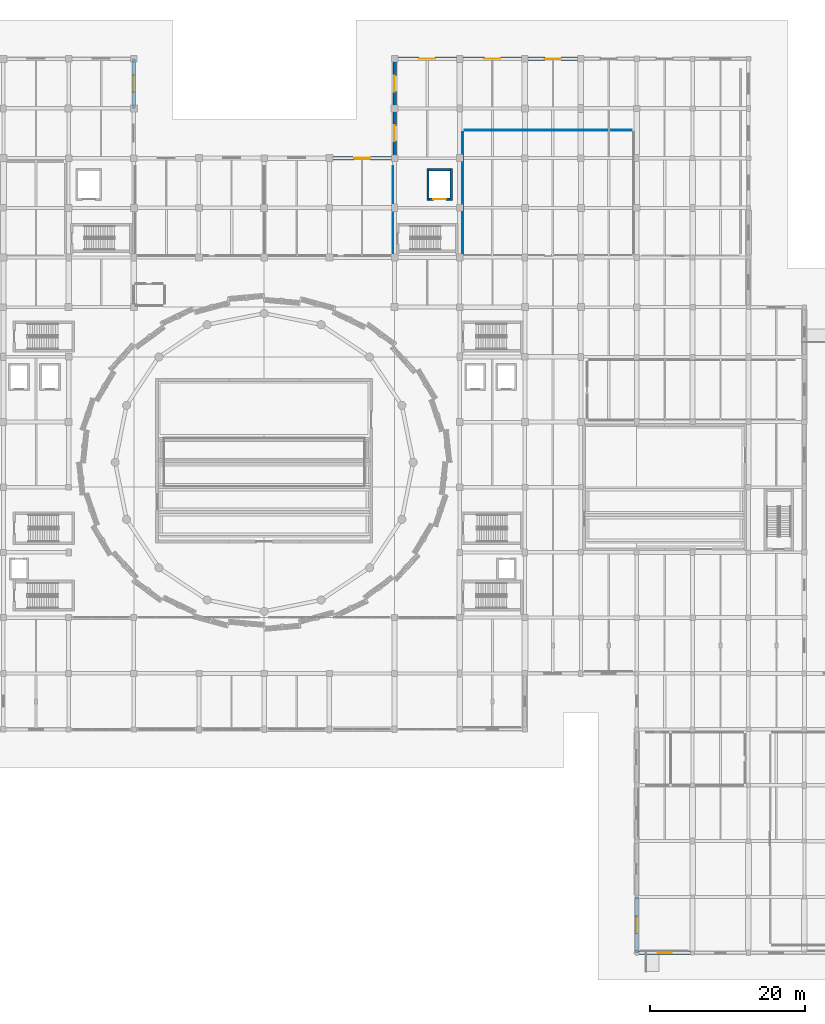
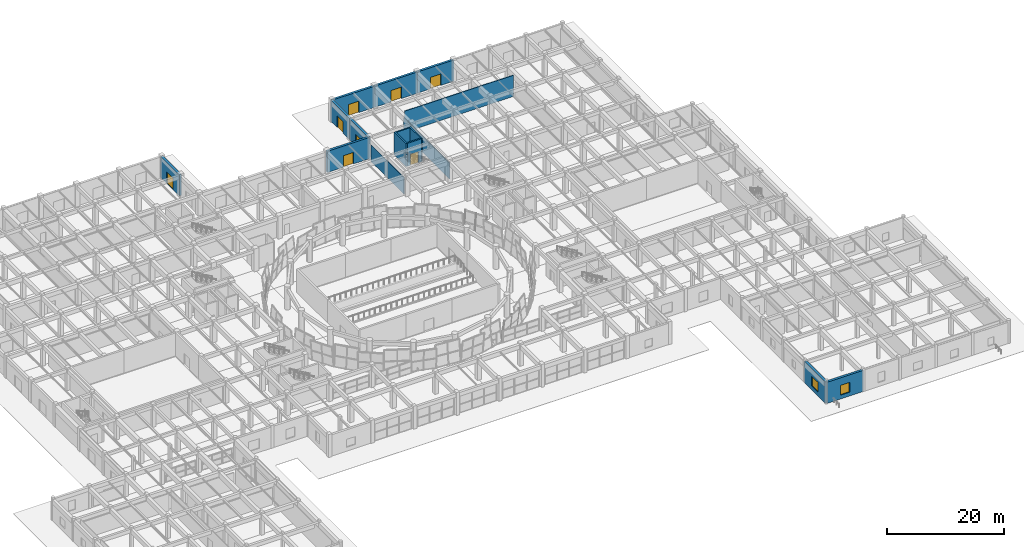
# One storey, part 51 of 72: 16 walls, 8 doors, 2 windows, 10 openings.
"""IFC4 building model written with IfcOpenShell, lengths in metres."""

from ifc_helpers import new_model, si_unit, direction, frame, frame_2d, origin, place, context, subcontext, project, spatial, rectangle, extrude, material, layer, layer_set, type_object, element, fill, save


model = new_model("IFC4")

# Units and contexts
model_context = context("Model", 3, precision=1e-05, world=origin(), true_north=direction((0.0, 1.0)))
body_context = subcontext(model_context, "Body", "Model", "MODEL_VIEW")
ifc_project = project(units=[si_unit("LENGTHUNIT", "METRE"), si_unit("AREAUNIT", "SQUARE_METRE"), si_unit("VOLUMEUNIT", "CUBIC_METRE"), si_unit("PLANEANGLEUNIT", "RADIAN"), si_unit("MASSUNIT", "GRAM", prefix="KILO")], contexts=[model_context])

# Site, building, storey
site_placement = place(None, origin())
site = spatial("IfcSite", under=ifc_project, at=site_placement, CompositionType="ELEMENT")
building_placement = place(site_placement, origin())
building = spatial("IfcBuilding", under=site, at=building_placement, Name="Korsvaeld Concert Hall", CompositionType="ELEMENT")
storey_placement = place(building_placement, origin())
storey = spatial("IfcBuildingStorey", under=building, at=storey_placement, Name="L00", CompositionType="ELEMENT", Elevation=0.0)

# Wall, opening, door
ifc_material_1 = material(Name="Coastal dark grey granite plinth on Concrete C35/45", Category="masonry")
ifc_layer_1 = layer(ifc_material_1, 0.43994140625)
ifc_layer_set_1 = layer_set([ifc_layer_1], Name="Coastal dark grey granite plinth on Concrete C35/45")
wall_type_1 = type_object("IfcWallType", Name="WL-EXT-GRAN-440", PredefinedType="STANDARD", material=ifc_layer_set_1)
wall_1_placement = place(storey_placement, frame((67.199951171875, 115.199951171875, 0.0), z_axis=(0.0, 0.0, 1.0), x_axis=(0.0, -1.0, 0.0)))
wall_1 = element("IfcWall", 1, at=wall_1_placement, inside=storey, type_object=wall_type_1, Name="Exterior sandstone wall L00-071", PredefinedType="STANDARD", context=body_context, shape_type="SweptSolid", body=[
    extrude(rectangle(XDim=6.39990234375, YDim=0.43994140625, at=frame_2d((3.199951171875, 0.0))), origin(), (0.0, 0.0, 1.0), 4.43994140625),
])
opening_1_placement = place(wall_1_placement, frame((2.10009765625, 0.0, 0.0)))
opening_1 = element("IfcOpeningElement", 2, at=opening_1_placement, cuts=wall_1, Name="Opening ED-02", PredefinedType="OPENING", context=body_context, shape_type="SweptSolid", body=[
    extrude(rectangle(XDim=2.199951171875, YDim=2.449951171875, at=frame_2d((1.10009765625, 1.22509765625))), frame((0.0, 0.22998046875, 0.0), z_axis=(0.0, -1.0, 0.0), x_axis=(1.0, 0.0, 0.0)), (0.0, 0.0, 1.0), 0.4599609375),
])
ifc_material_2 = material(Name="Anodised bronze glazed exit door")
door_type_1 = type_object("IfcDoorType", Name="DR-EXT-220x245", OperationType="DOUBLE_DOOR_SINGLE_SWING", PredefinedType="DOOR", material=ifc_material_2)
door_1_placement = place(opening_1_placement, frame((2.199951171875, 0.0, 0.0), z_axis=(0.0, 0.0, 1.0), x_axis=(-1.0, 0.0, 0.0)))
door_1 = element("IfcDoor", 3, at=door_1_placement, inside=storey, type_object=door_type_1, Name="Ground plaza pedestrian exit door EX-16", OperationType="DOUBLE_DOOR_SINGLE_SWING", OverallHeight=2.449951171875, OverallWidth=2.199951171875, PredefinedType="DOOR", context=body_context, shape_type="SweptSolid", body=[
    extrude(rectangle(XDim=2.199951171875, YDim=2.449951171875, at=frame_2d((1.10009765625, 1.22509765625))), frame((0.0, 0.02490234375, 0.0), z_axis=(0.0, -1.0, 0.0), x_axis=(1.0, 0.0, 0.0)), (0.0, 0.0, 1.0), 0.050048828125),
])
fill(opening_1, door_1)

wall_2_placement = place(storey_placement, frame((92.39990234375, 102.39990234375, 0.0), z_axis=(0.0, 0.0, 1.0), x_axis=(1.0, 0.0, 0.0)))
wall_2 = element("IfcWall", 4, at=wall_2_placement, inside=storey, type_object=wall_type_1, Name="Exterior sandstone wall L00-076", PredefinedType="STANDARD", context=body_context, shape_type="SweptSolid", body=[
    extrude(rectangle(XDim=8.400146484375, YDim=0.43994140625, at=frame_2d((4.2001953125, 0.0))), origin(), (0.0, 0.0, 1.0), 4.43994140625),
])
opening_2_placement = place(wall_2_placement, frame((3.179931640625, 0.0, 0.0)))
opening_2 = element("IfcOpeningElement", 5, at=opening_2_placement, cuts=wall_2, Name="Opening ED-03", PredefinedType="OPENING", context=body_context, shape_type="SweptSolid", body=[
    extrude(rectangle(XDim=2.0400390625, YDim=2.39990234375, at=frame_2d((1.02001953125, 1.199951171875))), frame((0.0, 0.22998046875, 0.0), z_axis=(0.0, -1.0, 0.0), x_axis=(1.0, 0.0, 0.0)), (0.0, 0.0, 1.0), 0.4599609375),
])
door_type_2 = type_object("IfcDoorType", Name="DR-EXT-204x240", OperationType="DOUBLE_DOOR_SINGLE_SWING", PredefinedType="DOOR", material=ifc_material_2)
door_2_placement = place(opening_2_placement, frame((2.0400390625, 0.0, 0.0), z_axis=(0.0, 0.0, 1.0), x_axis=(-1.0, 0.0, 0.0)))
door_2 = element("IfcDoor", 6, at=door_2_placement, inside=storey, type_object=door_type_2, Name="Ground plaza pedestrian exit door EX-21", OperationType="DOUBLE_DOOR_SINGLE_SWING", OverallHeight=2.39990234375, OverallWidth=2.0400390625, PredefinedType="DOOR", context=body_context, shape_type="SweptSolid", body=[
    extrude(rectangle(XDim=2.0400390625, YDim=2.39990234375, at=frame_2d((1.02001953125, 1.199951171875))), frame((0.0, 0.02490234375, 0.0), z_axis=(0.0, -1.0, 0.0), x_axis=(1.0, 0.0, 0.0)), (0.0, 0.0, 1.0), 0.050048828125),
])
fill(opening_2, door_2)

wall_3_placement = place(storey_placement, frame((100.800048828125, 102.39990234375, 0.0), z_axis=(0.0, 0.0, 1.0), x_axis=(0.0, 1.0, 0.0)))
wall_3 = element("IfcWall", 7, at=wall_3_placement, inside=storey, type_object=wall_type_1, Name="Exterior sandstone wall L00-077", PredefinedType="STANDARD", context=body_context, shape_type="SweptSolid", body=[
    extrude(rectangle(XDim=6.400146484375, YDim=0.43994140625, at=frame_2d((3.2001953125, 0.0))), origin(), (0.0, 0.0, 1.0), 4.43994140625),
])
opening_3_placement = place(wall_3_placement, frame((2.179931640625, 0.0, 0.0)))
opening_3 = element("IfcOpeningElement", 8, at=opening_3_placement, cuts=wall_3, Name="Opening ED-03", PredefinedType="OPENING", context=body_context, shape_type="SweptSolid", body=[
    extrude(rectangle(XDim=2.0400390625, YDim=2.39990234375, at=frame_2d((1.02001953125, 1.199951171875))), frame((0.0, 0.22998046875, 0.0), z_axis=(0.0, -1.0, 0.0), x_axis=(1.0, 0.0, 0.0)), (0.0, 0.0, 1.0), 0.4599609375),
])
door_3_placement = place(opening_3_placement, frame((2.0400390625, 0.0, 0.0), z_axis=(0.0, 0.0, 1.0), x_axis=(-1.0, 0.0, 0.0)))
door_3 = element("IfcDoor", 9, at=door_3_placement, inside=storey, type_object=door_type_2, Name="Ground plaza pedestrian exit door EX-22", OperationType="DOUBLE_DOOR_SINGLE_SWING", OverallHeight=2.39990234375, OverallWidth=2.0400390625, PredefinedType="DOOR", context=body_context, shape_type="SweptSolid", body=[
    extrude(rectangle(XDim=2.0400390625, YDim=2.39990234375, at=frame_2d((1.02001953125, 1.199951171875))), frame((0.0, 0.02490234375, 0.0), z_axis=(0.0, -1.0, 0.0), x_axis=(1.0, 0.0, 0.0)), (0.0, 0.0, 1.0), 0.050048828125),
])
fill(opening_3, door_3)

wall_4_placement = place(storey_placement, frame((100.800048828125, 108.800048828125, 0.0), z_axis=(0.0, 0.0, 1.0), x_axis=(0.0, 1.0, 0.0)))
wall_4 = element("IfcWall", 10, at=wall_4_placement, inside=storey, type_object=wall_type_1, Name="Exterior sandstone wall L00-078", PredefinedType="STANDARD", context=body_context, shape_type="SweptSolid", body=[
    extrude(rectangle(XDim=6.39990234375, YDim=0.43994140625, at=frame_2d((3.199951171875, 0.0))), origin(), (0.0, 0.0, 1.0), 4.43994140625),
])
opening_4_placement = place(wall_4_placement, frame((2.179931640625, 0.0, 0.0)))
opening_4 = element("IfcOpeningElement", 11, at=opening_4_placement, cuts=wall_4, Name="Opening ED-03", PredefinedType="OPENING", context=body_context, shape_type="SweptSolid", body=[
    extrude(rectangle(XDim=2.0400390625, YDim=2.39990234375, at=frame_2d((1.02001953125, 1.199951171875))), frame((0.0, 0.22998046875, 0.0), z_axis=(0.0, -1.0, 0.0), x_axis=(1.0, 0.0, 0.0)), (0.0, 0.0, 1.0), 0.4599609375),
])
door_4_placement = place(opening_4_placement, frame((2.0400390625, 0.0, 0.0), z_axis=(0.0, 0.0, 1.0), x_axis=(-1.0, 0.0, 0.0)))
door_4 = element("IfcDoor", 12, at=door_4_placement, inside=storey, type_object=door_type_2, Name="Ground plaza pedestrian exit door EX-23", OperationType="DOUBLE_DOOR_SINGLE_SWING", OverallHeight=2.39990234375, OverallWidth=2.0400390625, PredefinedType="DOOR", context=body_context, shape_type="SweptSolid", body=[
    extrude(rectangle(XDim=2.0400390625, YDim=2.39990234375, at=frame_2d((1.02001953125, 1.199951171875))), frame((0.0, 0.02490234375, 0.0), z_axis=(0.0, -1.0, 0.0), x_axis=(1.0, 0.0, 0.0)), (0.0, 0.0, 1.0), 0.050048828125),
])
fill(opening_4, door_4)

wall_5_placement = place(storey_placement, frame((100.800048828125, 115.199951171875, 0.0), z_axis=(0.0, 0.0, 1.0), x_axis=(1.0, 0.0, 0.0)))
wall_5 = element("IfcWall", 13, at=wall_5_placement, inside=storey, type_object=wall_type_1, Name="Exterior sandstone wall L00-079", PredefinedType="STANDARD", context=body_context, shape_type="SweptSolid", body=[
    extrude(rectangle(XDim=8.39990234375, YDim=0.43994140625, at=frame_2d((4.199951171875, 0.0))), origin(), (0.0, 0.0, 1.0), 4.43994140625),
])
opening_5_placement = place(wall_5_placement, frame((3.179931640625, 0.0, 0.0)))
opening_5 = element("IfcOpeningElement", 14, at=opening_5_placement, cuts=wall_5, Name="Opening ED-03", PredefinedType="OPENING", context=body_context, shape_type="SweptSolid", body=[
    extrude(rectangle(XDim=2.0400390625, YDim=2.39990234375, at=frame_2d((1.02001953125, 1.199951171875))), frame((0.0, 0.22998046875, 0.0), z_axis=(0.0, -1.0, 0.0), x_axis=(1.0, 0.0, 0.0)), (0.0, 0.0, 1.0), 0.4599609375),
])
door_5_placement = place(opening_5_placement, frame((2.0400390625, 0.0, 0.0), z_axis=(0.0, 0.0, 1.0), x_axis=(-1.0, 0.0, 0.0)))
door_5 = element("IfcDoor", 15, at=door_5_placement, inside=storey, type_object=door_type_2, Name="Ground plaza pedestrian exit door EX-24", OperationType="DOUBLE_DOOR_SINGLE_SWING", OverallHeight=2.39990234375, OverallWidth=2.0400390625, PredefinedType="DOOR", context=body_context, shape_type="SweptSolid", body=[
    extrude(rectangle(XDim=2.0400390625, YDim=2.39990234375, at=frame_2d((1.02001953125, 1.199951171875))), frame((0.0, 0.02490234375, 0.0), z_axis=(0.0, -1.0, 0.0), x_axis=(1.0, 0.0, 0.0)), (0.0, 0.0, 1.0), 0.050048828125),
])
fill(opening_5, door_5)

wall_6_placement = place(storey_placement, frame((109.199951171875, 115.199951171875, 0.0), z_axis=(0.0, 0.0, 1.0), x_axis=(1.0, 0.0, 0.0)))
wall_6 = element("IfcWall", 16, at=wall_6_placement, inside=storey, type_object=wall_type_1, Name="Exterior sandstone wall L00-080", PredefinedType="STANDARD", context=body_context, shape_type="SweptSolid", body=[
    extrude(rectangle(XDim=8.400146484375, YDim=0.43994140625, at=frame_2d((4.2001953125, 0.0))), origin(), (0.0, 0.0, 1.0), 4.43994140625),
])
opening_6_placement = place(wall_6_placement, frame((3.179931640625, 0.0, 0.0)))
opening_6 = element("IfcOpeningElement", 17, at=opening_6_placement, cuts=wall_6, Name="Opening ED-03", PredefinedType="OPENING", context=body_context, shape_type="SweptSolid", body=[
    extrude(rectangle(XDim=2.0400390625, YDim=2.39990234375, at=frame_2d((1.02001953125, 1.199951171875))), frame((0.0, 0.22998046875, 0.0), z_axis=(0.0, -1.0, 0.0), x_axis=(1.0, 0.0, 0.0)), (0.0, 0.0, 1.0), 0.4599609375),
])
door_6_placement = place(opening_6_placement, frame((2.0400390625, 0.0, 0.0), z_axis=(0.0, 0.0, 1.0), x_axis=(-1.0, 0.0, 0.0)))
door_6 = element("IfcDoor", 18, at=door_6_placement, inside=storey, type_object=door_type_2, Name="Ground plaza pedestrian exit door EX-25", OperationType="DOUBLE_DOOR_SINGLE_SWING", OverallHeight=2.39990234375, OverallWidth=2.0400390625, PredefinedType="DOOR", context=body_context, shape_type="SweptSolid", body=[
    extrude(rectangle(XDim=2.0400390625, YDim=2.39990234375, at=frame_2d((1.02001953125, 1.199951171875))), frame((0.0, 0.02490234375, 0.0), z_axis=(0.0, -1.0, 0.0), x_axis=(1.0, 0.0, 0.0)), (0.0, 0.0, 1.0), 0.050048828125),
])
fill(opening_6, door_6)

wall_7_placement = place(storey_placement, frame((117.60009765625, 115.199951171875, 0.0), z_axis=(0.0, 0.0, 1.0), x_axis=(1.0, 0.0, 0.0)))
wall_7 = element("IfcWall", 19, at=wall_7_placement, inside=storey, type_object=wall_type_1, Name="Exterior sandstone wall L00-081", PredefinedType="STANDARD", context=body_context, shape_type="SweptSolid", body=[
    extrude(rectangle(XDim=7.199951171875, YDim=0.43994140625, at=frame_2d((3.60009765625, 0.0))), origin(), (0.0, 0.0, 1.0), 4.43994140625),
])
opening_7_placement = place(wall_7_placement, frame((2.580078125, 0.0, 0.0)))
opening_7 = element("IfcOpeningElement", 20, at=opening_7_placement, cuts=wall_7, Name="Opening ED-03", PredefinedType="OPENING", context=body_context, shape_type="SweptSolid", body=[
    extrude(rectangle(XDim=2.0400390625, YDim=2.39990234375, at=frame_2d((1.02001953125, 1.199951171875))), frame((0.0, 0.22998046875, 0.0), z_axis=(0.0, -1.0, 0.0), x_axis=(1.0, 0.0, 0.0)), (0.0, 0.0, 1.0), 0.4599609375),
])
door_7_placement = place(opening_7_placement, frame((2.0400390625, 0.0, 0.0), z_axis=(0.0, 0.0, 1.0), x_axis=(-1.0, 0.0, 0.0)))
door_7 = element("IfcDoor", 21, at=door_7_placement, inside=storey, type_object=door_type_2, Name="Ground plaza pedestrian exit door EX-26", OperationType="DOUBLE_DOOR_SINGLE_SWING", OverallHeight=2.39990234375, OverallWidth=2.0400390625, PredefinedType="DOOR", context=body_context, shape_type="SweptSolid", body=[
    extrude(rectangle(XDim=2.0400390625, YDim=2.39990234375, at=frame_2d((1.02001953125, 1.199951171875))), frame((0.0, 0.02490234375, 0.0), z_axis=(0.0, -1.0, 0.0), x_axis=(1.0, 0.0, 0.0)), (0.0, 0.0, 1.0), 0.050048828125),
])
fill(opening_7, door_7)

# Wall, opening, window
wall_8_placement = place(storey_placement, frame((139.199951171875, 0.0, 0.0), z_axis=(0.0, 0.0, 1.0), x_axis=(-1.0, 0.0, 0.0)))
wall_8 = element("IfcWall", 22, at=wall_8_placement, inside=storey, type_object=wall_type_1, Name="Exterior sandstone wall L00-108", PredefinedType="STANDARD", context=body_context, shape_type="SweptSolid", body=[
    extrude(rectangle(XDim=7.199951171875, YDim=0.43994140625, at=frame_2d((3.60009765625, 0.0))), origin(), (0.0, 0.0, 1.0), 4.43994140625),
])
opening_8_placement = place(wall_8_placement, frame((2.699951171875, 0.0, 0.800048828125)))
opening_8 = element("IfcOpeningElement", 23, at=opening_8_placement, cuts=wall_8, Name="Opening WN-12", PredefinedType="OPENING", context=body_context, shape_type="SweptSolid", body=[
    extrude(rectangle(XDim=1.800048828125, YDim=2.050048828125, at=frame_2d((0.89990234375, 1.02490234375))), frame((0.0, 0.22998046875, 0.0), z_axis=(0.0, -1.0, 0.0), x_axis=(1.0, 0.0, 0.0)), (0.0, 0.0, 1.0), 0.4599609375),
])
ifc_material_3 = material(Name="Anodised bronze frame with acoustic triple glazing", Category="glass")
window_type_1 = type_object("IfcWindowType", Name="WIN-AC-180x205", PartitioningType="SINGLE_PANEL", PredefinedType="WINDOW", material=ifc_material_3)
window_1_placement = place(opening_8_placement, origin())
window_1 = element("IfcWindow", 24, at=window_1_placement, inside=storey, type_object=window_type_1, Name="Acoustic triple-glazed window L00-019", OverallHeight=2.050048828125, OverallWidth=1.800048828125, PartitioningType="SINGLE_PANEL", PredefinedType="WINDOW", context=body_context, shape_type="SweptSolid", body=[
    extrude(rectangle(XDim=1.800048828125, YDim=2.050048828125, at=frame_2d((0.89990234375, 1.02490234375))), frame((0.0, 0.030029296875, 0.0), z_axis=(0.0, -1.0, 0.0), x_axis=(1.0, 0.0, 0.0)), (0.0, 0.0, 1.0), 0.06005859375),
])
fill(opening_8, window_1)

wall_9_placement = place(storey_placement, frame((132.0, 0.0, 0.0), z_axis=(0.0, 0.0, 1.0), x_axis=(0.0, 1.0, 0.0)))
wall_9 = element("IfcWall", 25, at=wall_9_placement, inside=storey, type_object=wall_type_1, Name="Exterior sandstone wall L00-109", PredefinedType="STANDARD", context=body_context, shape_type="SweptSolid", body=[
    extrude(rectangle(XDim=7.199951171875, YDim=0.43994140625, at=frame_2d((3.60009765625, 0.0))), origin(), (0.0, 0.0, 1.0), 4.43994140625),
])
opening_9_placement = place(wall_9_placement, frame((2.5, 0.0, 0.800048828125)))
opening_9 = element("IfcOpeningElement", 26, at=opening_9_placement, cuts=wall_9, Name="Opening WN-13", PredefinedType="OPENING", context=body_context, shape_type="SweptSolid", body=[
    extrude(rectangle(XDim=2.199951171875, YDim=2.050048828125, at=frame_2d((1.10009765625, 1.02490234375))), frame((0.0, 0.22998046875, 0.0), z_axis=(0.0, -1.0, 0.0), x_axis=(1.0, 0.0, 0.0)), (0.0, 0.0, 1.0), 0.4599609375),
])
window_type_2 = type_object("IfcWindowType", Name="WIN-AC-220x205", PartitioningType="SINGLE_PANEL", PredefinedType="WINDOW", material=ifc_material_3)
window_2_placement = place(opening_9_placement, origin())
window_2 = element("IfcWindow", 27, at=window_2_placement, inside=storey, type_object=window_type_2, Name="Acoustic triple-glazed window L00-020", OverallHeight=2.050048828125, OverallWidth=2.199951171875, PartitioningType="SINGLE_PANEL", PredefinedType="WINDOW", context=body_context, shape_type="SweptSolid", body=[
    extrude(rectangle(XDim=2.199951171875, YDim=2.050048828125, at=frame_2d((1.10009765625, 1.02490234375))), frame((0.0, 0.030029296875, 0.0), z_axis=(0.0, -1.0, 0.0), x_axis=(1.0, 0.0, 0.0)), (0.0, 0.0, 1.0), 0.06005859375),
])
fill(opening_9, window_2)

# Walls
ifc_material_4 = material(Name="Insulated acoustic gypsum partition")
ifc_layer_2 = layer(ifc_material_4, 0.125)
ifc_layer_set_2 = layer_set([ifc_layer_2], Name="Insulated acoustic gypsum partition")
wall_type_2 = type_object("IfcWallType", Name="WL-PART-125", PredefinedType="PARTITIONING", material=ifc_layer_set_2)
wall_10_placement = place(storey_placement, frame((100.60009765625, 90.06005859375, 0.0), z_axis=(0.0, 0.0, 1.0), x_axis=(0.0, 1.0, 0.0)))
element("IfcWall", 28, at=wall_10_placement, inside=storey, type_object=wall_type_2, Name="Interior partition L00-24 E", PredefinedType="PARTITIONING", context=body_context, shape_type="SweptSolid", body=[
    extrude(rectangle(XDim=11.280029296875, YDim=0.125, at=frame_2d((5.64013671875, 0.0))), origin(), (0.0, 0.0, 1.0), 3.465087890625),
])
wall_11_placement = place(storey_placement, frame((131.340087890625, 106.0, 0.0), z_axis=(0.0, 0.0, 1.0), x_axis=(-1.0, 0.0, 0.0)))
element("IfcWall", 29, at=wall_11_placement, inside=storey, type_object=wall_type_2, Name="Interior partition L00-25 N", PredefinedType="PARTITIONING", context=body_context, shape_type="SweptSolid", body=[
    extrude(rectangle(XDim=21.47998046875, YDim=0.125, at=frame_2d((10.739990234375, 0.0))), origin(), (0.0, 0.0, 1.0), 4.43994140625),
])
wall_12_placement = place(storey_placement, frame((109.60009765625, 105.739990234375, 0.0), z_axis=(0.0, 0.0, 1.0), x_axis=(0.0, -1.0, 0.0)))
element("IfcWall", 30, at=wall_12_placement, inside=storey, type_object=wall_type_2, Name="Interior partition L00-25 W", PredefinedType="PARTITIONING", context=body_context, shape_type="SweptSolid", body=[
    extrude(rectangle(XDim=15.679931640625, YDim=0.125, at=frame_2d((7.83984375, 0.0))), origin(), (0.0, 0.0, 1.0), 3.364990234375),
])

# Wall, opening, door
ifc_material_5 = material(Name="Concrete C40/50", Category="concrete")
ifc_layer_3 = layer(ifc_material_5, 0.280029296875)
ifc_layer_set_3 = layer_set([ifc_layer_3], Name="Concrete C40/50")
wall_type_3 = type_object("IfcWallType", Name="WL-SHAFT-280", PredefinedType="SHEAR", material=ifc_layer_set_3)
wall_13_placement = place(storey_placement, frame((105.239990234375, 97.10009765625, 0.0), z_axis=(0.0, 0.0, 1.0), x_axis=(1.0, 0.0, 0.0)))
wall_13 = element("IfcWall", 31, at=wall_13_placement, inside=storey, type_object=wall_type_3, Name="Lift LG-02 shaft wall L00 S", PredefinedType="SHEAR", context=body_context, shape_type="SweptSolid", body=[
    extrude(rectangle(XDim=2.719970703125, YDim=0.280029296875, at=frame_2d((1.35986328125, 0.0))), origin(), (0.0, 0.0, 1.0), 4.800048828125),
])
opening_10_placement = place(wall_13_placement, frame((0.56005859375, 0.0, 0.0)))
opening_10 = element("IfcOpeningElement", 32, at=opening_10_placement, cuts=wall_13, Name="Opening LD-03", PredefinedType="OPENING", context=body_context, shape_type="SweptSolid", body=[
    extrude(rectangle(XDim=1.60009765625, YDim=2.300048828125, at=frame_2d((0.800048828125, 1.14990234375))), frame((0.0, 0.14990234375, 0.0), z_axis=(0.0, -1.0, 0.0), x_axis=(1.0, 0.0, 0.0)), (0.0, 0.0, 1.0), 0.300048828125),
])
ifc_material_6 = material(Name="Heavy-duty stainless sliding goods lift landing door")
door_type_3 = type_object("IfcDoorType", Name="DR-LD-GOODS-160x230", OperationType="NOTDEFINED", PredefinedType="DOOR", material=ifc_material_6)
door_8_placement = place(opening_10_placement, origin())
door_8 = element("IfcDoor", 33, at=door_8_placement, inside=storey, type_object=door_type_3, Name="Lift landing door LG-02 L00", OperationType="SLIDING_TO_RIGHT", OverallHeight=2.300048828125, OverallWidth=1.60009765625, PredefinedType="DOOR", context=body_context, shape_type="SweptSolid", body=[
    extrude(rectangle(XDim=1.60009765625, YDim=2.300048828125, at=frame_2d((0.800048828125, 1.14990234375))), frame((0.0, 0.02490234375, 0.0), z_axis=(0.0, -1.0, 0.0), x_axis=(1.0, 0.0, 0.0)), (0.0, 0.0, 1.0), 0.050048828125),
])
fill(opening_10, door_8)

# Walls
wall_14_placement = place(storey_placement, frame((108.10009765625, 96.9599609375, 0.0), z_axis=(0.0, 0.0, 1.0), x_axis=(0.0, 1.0, 0.0)))
element("IfcWall", 34, at=wall_14_placement, inside=storey, type_object=wall_type_3, Name="Lift LG-02 shaft wall L00 E", PredefinedType="SHEAR", context=body_context, shape_type="SweptSolid", body=[
    extrude(rectangle(XDim=4.080078125, YDim=0.280029296875, at=frame_2d((2.0400390625, 0.0))), origin(), (0.0, 0.0, 1.0), 4.800048828125),
])
wall_15_placement = place(storey_placement, frame((107.9599609375, 100.89990234375, 0.0), z_axis=(0.0, 0.0, 1.0), x_axis=(-1.0, 0.0, 0.0)))
element("IfcWall", 35, at=wall_15_placement, inside=storey, type_object=wall_type_3, Name="Lift LG-02 shaft wall L00 N", PredefinedType="SHEAR", context=body_context, shape_type="SweptSolid", body=[
    extrude(rectangle(XDim=2.719970703125, YDim=0.280029296875, at=frame_2d((1.35986328125, 0.0))), origin(), (0.0, 0.0, 1.0), 4.800048828125),
])
wall_16_placement = place(storey_placement, frame((105.10009765625, 101.0400390625, 0.0), z_axis=(0.0, 0.0, 1.0), x_axis=(0.0, -1.0, 0.0)))
element("IfcWall", 36, at=wall_16_placement, inside=storey, type_object=wall_type_3, Name="Lift LG-02 shaft wall L00 W", PredefinedType="SHEAR", context=body_context, shape_type="SweptSolid", body=[
    extrude(rectangle(XDim=4.080078125, YDim=0.280029296875, at=frame_2d((2.0400390625, 0.0))), origin(), (0.0, 0.0, 1.0), 4.800048828125),
])

save(model, "model.ifc")
